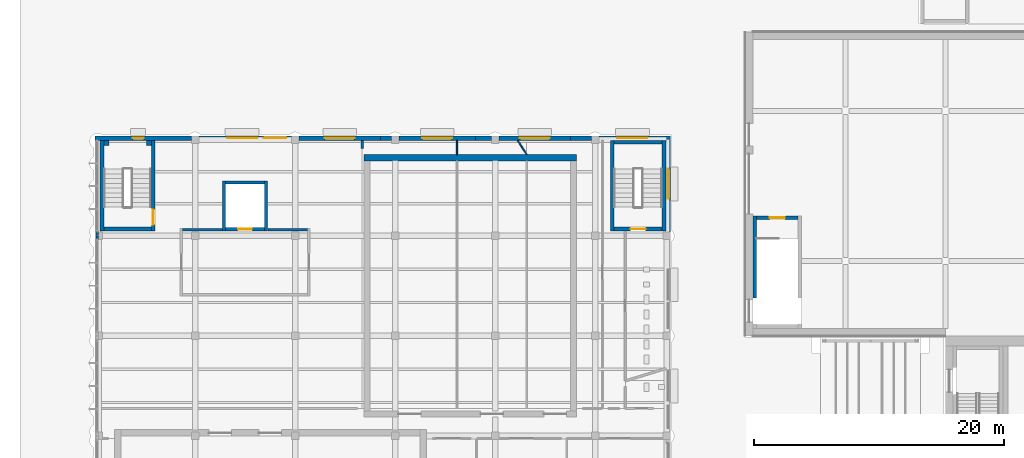
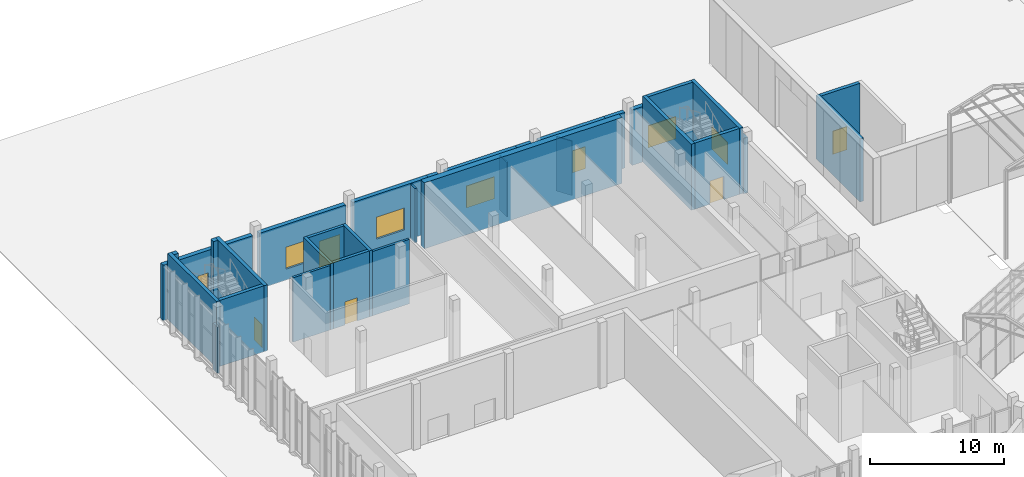
# One storey, part 96 of 155: 33 walls, 7 windows, 5 doors, 12 openings.
"""IFC4 building model written with IfcOpenShell, lengths in metres."""

import ifcopenshell
import ifcopenshell.guid

model = None  # the IFC model being written
_history = None  # IfcOwnerHistory: only IFC2X3 demands one
_inside = {}  # id of a spatial element -> (the spatial element, [elements in it])
_under = {}  # id of a project, library or spatial element -> (it, [spatial elements below it])
_declared = {}  # id of a project -> (the project, [libraries it declares])
_typed = {}  # id of a type object -> (the type object, [elements of that type])
_made_of = {}  # id of a material, layer set ... -> (it, [elements and type objects made of it])


def new_model(schema):
    """Start an empty IFC model of exactly this schema.

    Asked for "IFC4X3", IfcOpenShell would pick the latest addendum, in which some entities
    have other attributes; the version numbers below select the first issue.
    IFC2X3 requires an IfcOwnerHistory on every rooted entity: one is made here for all.
    """
    global model, _history
    if schema == "IFC4X3":
        model = ifcopenshell.file(schema_version=(4, 3, 0, 0))
    else:
        model = ifcopenshell.file(schema=schema)
    _inside.clear()
    _under.clear()
    _declared.clear()
    _typed.clear()
    _made_of.clear()
    _history = None
    if model.schema == "IFC2X3":
        org = make("IfcOrganization", Name="unknown")
        user = make(
            "IfcPersonAndOrganization",
            ThePerson=make("IfcPerson", FamilyName="unknown"),
            TheOrganization=org,
        )
        app = make(
            "IfcApplication",
            ApplicationDeveloper=org,
            Version="unknown",
            ApplicationFullName="unknown",
            ApplicationIdentifier="unknown",
        )
        _history = make(
            "IfcOwnerHistory",
            OwningUser=user,
            OwningApplication=app,
            ChangeAction="ADDED",
            CreationDate=0,
        )
    return model


def make(cls, **values):
    """One entity of the class cls with the attributes given. An attribute that is None is left unset."""
    return model.create_entity(
        cls, **{name: value for name, value in values.items() if value is not None}
    )


def rooted(cls, **values):
    """An entity with a GlobalId (a new one), such as an element, a storey or a relation."""
    return make(cls, GlobalId=ifcopenshell.guid.new(), OwnerHistory=_history, **values)


def si_unit(unit_type, name, prefix=None):
    """IfcSIUnit, for example si_unit("LENGTHUNIT", "METRE", prefix="MILLI")."""
    return make("IfcSIUnit", UnitType=unit_type, Prefix=prefix, Name=name)


def assignment(units):
    """IfcUnitAssignment: the units of a project."""
    return None if units is None else make("IfcUnitAssignment", Units=units)


def point(xyz):
    """IfcCartesianPoint."""
    return None if xyz is None else make("IfcCartesianPoint", Coordinates=xyz)


def direction(xyz):
    """IfcDirection."""
    return None if xyz is None else make("IfcDirection", DirectionRatios=xyz)


def frame(location, z_axis=None, x_axis=None):
    """IfcAxis2Placement3D, a coordinate frame: its origin and axes. An axis left out is left unset."""
    return make(
        "IfcAxis2Placement3D",
        Location=point(location),
        Axis=direction(z_axis),
        RefDirection=direction(x_axis),
    )


def frame_2d(location, x_axis=None):
    """IfcAxis2Placement2D, a coordinate frame in the plane: its origin and x axis."""
    return make(
        "IfcAxis2Placement2D", Location=point(location), RefDirection=direction(x_axis)
    )


def origin():
    """The frame at (0, 0, 0) with its axes left unset."""
    return frame((0.0, 0.0, 0.0))


def place(relative_to, where):
    """IfcLocalPlacement: puts the frame where relative to a parent placement (None: the world)."""
    return make(
        "IfcLocalPlacement", PlacementRelTo=relative_to, RelativePlacement=where
    )


def context(
    kind, dimensions, precision=None, world=None, true_north=None, identifier=None
):
    """IfcGeometricRepresentationContext, for example the 3D "Model" context."""
    return make(
        "IfcGeometricRepresentationContext",
        ContextIdentifier=identifier,
        ContextType=kind,
        CoordinateSpaceDimension=dimensions,
        Precision=precision,
        WorldCoordinateSystem=world,
        TrueNorth=true_north,
    )


def subcontext(parent, identifier, kind, view, scale=None):
    """IfcGeometricRepresentationSubContext, for example "Body" below "Model"."""
    return make(
        "IfcGeometricRepresentationSubContext",
        ContextIdentifier=identifier,
        ContextType=kind,
        ParentContext=parent,
        TargetScale=scale,
        TargetView=view,
    )


def project(units=None, contexts=None):
    """IfcProject with its units and contexts."""
    return rooted(
        "IfcProject",
        Name="project",
        RepresentationContexts=contexts,
        UnitsInContext=assignment(units),
    )


def spatial(cls, under=None, at=None, **own):
    """A site, building, storey or space (cls), placed at a placement, below another one or the project."""
    s = rooted(cls, ObjectPlacement=at, **own)
    if under is not None:
        _under.setdefault(under.id(), (under, []))[1].append(s)
    return s


def profile(cls, at=None, kind="AREA", **sizes):
    """A parametric profile (cls). Its sizes go by their IFC names, for example OverallWidth=200.0."""
    return make(cls, ProfileType=kind, Position=at, **sizes)


def rectangle(**sizes):
    """IfcRectangleProfileDef."""
    return profile("IfcRectangleProfileDef", **sizes)


def extrude(swept, where, along, depth):
    """IfcExtrudedAreaSolid: the profile swept, set in the frame where, extruded along a direction by depth."""
    return make(
        "IfcExtrudedAreaSolid",
        SweptArea=swept,
        Position=where,
        ExtrudedDirection=direction(along),
        Depth=depth,
    )


def shape(context_of_items, identifier, shape_type, items):
    """IfcShapeRepresentation: the items that make up one representation, for example the "Body"."""
    return make(
        "IfcShapeRepresentation",
        ContextOfItems=context_of_items,
        RepresentationIdentifier=identifier,
        RepresentationType=shape_type,
        Items=items,
    )


def material(Name=None, Category=None):
    """IfcMaterial."""
    return make("IfcMaterial", Name=Name, Category=Category)


def layer(
    of_material, thickness, ventilated=None, Name=None, Category=None, Priority=None
):
    """IfcMaterialLayer: one layer of a wall or slab, of a material (None: an air gap)."""
    return make(
        "IfcMaterialLayer",
        Material=of_material,
        LayerThickness=thickness,
        IsVentilated=ventilated,
        Name=Name,
        Category=Category,
        Priority=Priority,
    )


def layer_set(layers, Name=None):
    """IfcMaterialLayerSet."""
    return make("IfcMaterialLayerSet", MaterialLayers=layers, LayerSetName=Name)


def made_of(thing, what):
    """Note that an element or type object is made of a material, layer set ...; save() writes the relation."""
    if what is not None:
        _made_of.setdefault(what.id(), (what, []))[1].append(thing)
    return thing


def type_object(cls, material=None, **own):
    """A type object (cls), such as IfcWallType, which elements share."""
    return made_of(rooted(cls, **own), material)


def element(
    cls,
    number,
    at=None,
    inside=None,
    cuts=None,
    type_object=None,
    material=None,
    context=None,
    identifier="Body",
    shape_type=None,
    held_by="IfcProductDefinitionShape",
    body=None,
    shapes=None,
    **own,
):
    """One element of the class cls, such as IfcWall. Its Tag is "e" and its number.

    at: its placement. inside: the storey or other place that contains it. cuts: it is an
    opening in that element (IfcRelVoidsElement). A single representation is given by context,
    identifier, shape_type and body (its items); several are given by shapes. held_by: the class
    of the entity that holds the representations. save() writes the other relations.
    """
    e = rooted(cls, Tag="e%d" % number, ObjectPlacement=at, **own)
    if body is not None:
        shapes = [shape(context, identifier, shape_type, body)]
    if shapes is not None:
        e.Representation = make(held_by, Representations=shapes)
    if inside is not None:
        _inside.setdefault(inside.id(), (inside, []))[1].append(e)
    if cuts is not None:
        rooted(
            "IfcRelVoidsElement", RelatingBuildingElement=cuts, RelatedOpeningElement=e
        )
    if type_object is not None:
        _typed.setdefault(type_object.id(), (type_object, []))[1].append(e)
    return made_of(e, material)


def fill(opening, filler):
    """IfcRelFillsElement: the door or window that sits in an opening."""
    return rooted(
        "IfcRelFillsElement",
        RelatingOpeningElement=opening,
        RelatedBuildingElement=filler,
    )


def aggregate(whole, parts):
    """IfcRelAggregates: a whole, such as a stair, and the parts it consists of."""
    return rooted("IfcRelAggregates", RelatingObject=whole, RelatedObjects=parts)


def save(model, path):
    """Write the relations noted so far, then the file.

    IfcRelAggregates (storeys below a building ...), IfcRelContainedInSpatialStructure (elements
    in a storey), IfcRelDefinesByType, IfcRelAssociatesMaterial and IfcRelDeclares: one each for
    every whole, place, type object, material and project.
    """
    for whole, parts in _under.values():
        aggregate(whole, parts)
    for where, things in _inside.values():
        rooted(
            "IfcRelContainedInSpatialStructure",
            RelatedElements=things,
            RelatingStructure=where,
        )
    for kind, things in _typed.values():
        rooted("IfcRelDefinesByType", RelatedObjects=things, RelatingType=kind)
    for what, things in _made_of.values():
        rooted("IfcRelAssociatesMaterial", RelatedObjects=things, RelatingMaterial=what)
    for by, libraries in _declared.values():
        rooted("IfcRelDeclares", RelatingContext=by, RelatedDefinitions=libraries)
    model.write(path)


model = new_model("IFC4")

# Units and contexts
model_context = context("Model", 3, precision=1e-05, world=origin(), true_north=direction((0.0, 1.0)))
body_context = subcontext(model_context, "Body", "Model", "MODEL_VIEW")
ifc_project = project(units=[si_unit("LENGTHUNIT", "METRE"), si_unit("AREAUNIT", "SQUARE_METRE"), si_unit("VOLUMEUNIT", "CUBIC_METRE"), si_unit("PLANEANGLEUNIT", "RADIAN"), si_unit("MASSUNIT", "GRAM", prefix="KILO")], contexts=[model_context])

# Site, building, storey
site_placement = place(None, origin())
site = spatial("IfcSite", under=ifc_project, at=site_placement, CompositionType="ELEMENT")
building_placement = place(site_placement, origin())
building = spatial("IfcBuilding", under=site, at=building_placement, Name="Lunette Opera House", CompositionType="ELEMENT")
storey_placement = place(building_placement, origin())
storey = spatial("IfcBuildingStorey", under=building, at=storey_placement, Name="L00", CompositionType="ELEMENT", Elevation=0.0)

# Walls
ifc_material_1 = material(Name="Plastered clay blockwork", Category="masonry")
ifc_layer_1 = layer(ifc_material_1, 0.175048828125)
ifc_layer_set_1 = layer_set([ifc_layer_1], Name="Plastered clay blockwork")
wall_type_1 = type_object("IfcWallType", Name="ACOUSTIC BLOCK PARTITION 175", PredefinedType="PARTITIONING", material=ifc_layer_set_1)
wall_1_placement = place(storey_placement, frame((29.35888671875, 111.634033203125, 0.0), z_axis=(0.0, 0.0, 1.0), x_axis=(0.0, -1.0, 0.0)))
element("IfcWall", 1, at=wall_1_placement, inside=storey, type_object=wall_type_1, Name="Partition Chorus Rehearsal Room", PredefinedType="PARTITIONING", context=body_context, shape_type="SweptSolid", body=[
    extrude(rectangle(XDim=0.634033203125, YDim=0.175048828125, at=frame_2d((0.31689453125, 0.0))), origin(), (0.0, 0.0, 1.0), 4.949951171875),
])
ifc_material_2 = material(Name="Insulated aluminium sandwich panel", Category="aluminium")
ifc_layer_2 = layer(ifc_material_2, 0.179931640625)
ifc_layer_set_2 = layer_set([ifc_layer_2], Name="Insulated aluminium sandwich panel")
wall_type_2 = type_object("IfcWallType", Name="CURTAIN WALL INFILL 180", PredefinedType="SOLIDWALL", material=ifc_layer_set_2)
wall_2_placement = place(storey_placement, frame((8.181884765625, 104.330078125, 0.0), z_axis=(0.0, 0.0, 1.0), x_axis=(0.0, -1.0, 0.0)))
element("IfcWall", 2, at=wall_2_placement, inside=storey, type_object=wall_type_2, Name="Curtain Wall Infill 180 IN13 L00", PredefinedType="SOLIDWALL", context=body_context, shape_type="SweptSolid", body=[
    extrude(rectangle(XDim=0.30517578125, YDim=0.179931640625, at=frame_2d((0.152587890625, 0.0))), origin(), (0.0, 0.0, 1.0), 4.199951171875),
])
wall_3_placement = place(storey_placement, frame((8.181884765625, 103.696044921875, 0.0), z_axis=(0.0, 0.0, 1.0), x_axis=(0.0, 1.0, 0.0)))
element("IfcWall", 3, at=wall_3_placement, inside=storey, type_object=wall_type_2, Name="Curtain Wall Infill 180 IN15 L00", PredefinedType="SOLIDWALL", context=body_context, shape_type="SweptSolid", body=[
    extrude(rectangle(XDim=0.304931640625, YDim=0.179931640625, at=frame_2d((0.15234375, 0.0))), origin(), (0.0, 0.0, 1.0), 4.199951171875),
])
ifc_material_3 = material(Name="Concrete C35/45", Category="concrete")
ifc_layer_3 = layer(ifc_material_3, 0.199951171875)
ifc_layer_set_3 = layer_set([ifc_layer_3], Name="Concrete C35/45")
wall_type_3 = type_object("IfcWallType", Name="LOBBY WALL 200", PredefinedType="PARTITIONING", material=ifc_layer_set_3)
for number, where, z_axis, x_axis, name in (
    (4, (25.0, 104.5, 0.0), (0.0, 0.0, 1.0), (-1.0, 0.0, 0.0), "LL-R lobby wall 2a"),
    (5, (18.179931640625, 104.5, 0.0), (0.0, 0.0, 1.0), (-1.0, 0.0, 0.0), "LL-R lobby wall 2b"),
):
    element("IfcWall", number, at=place(storey_placement, frame(where, z_axis=z_axis, x_axis=x_axis)), inside=storey, type_object=wall_type_3, Name=name, PredefinedType="PARTITIONING", context=body_context, shape_type="SweptSolid", body=[
        extrude(rectangle(XDim=3.179931640625, YDim=0.199951171875, at=frame_2d((1.58984375, 0.0))), origin(), (0.0, 0.0, 1.0), 5.85009765625),
    ])
ifc_material_4 = material(Name="Concrete C35/45", Category="concrete")
ifc_layer_4 = layer(ifc_material_4, 0.25)
ifc_layer_set_4 = layer_set([ifc_layer_4], Name="Concrete C35/45")
wall_type_4 = type_object("IfcWallType", Name="RC LIFT SHAFT WALL 250", PredefinedType="SOLIDWALL", material=ifc_layer_set_4)
wall_4_placement = place(storey_placement, frame((21.675048828125, 104.39990234375, 0.0), z_axis=(0.0, 0.0, 1.0), x_axis=(0.0, 1.0, 0.0)))
element("IfcWall", 6, at=wall_4_placement, inside=storey, type_object=wall_type_4, Name="LF5 shaft wall 1", PredefinedType="SOLIDWALL", context=body_context, shape_type="SweptSolid", body=[
    extrude(rectangle(XDim=4.0, YDim=0.25, at=frame_2d((2.0, 0.0))), origin(), (0.0, 0.0, 1.0), 6.0),
])
wall_5_placement = place(storey_placement, frame((21.550048828125, 108.27490234375, 0.0), z_axis=(0.0, 0.0, 1.0), x_axis=(-1.0, 0.0, 0.0)))
element("IfcWall", 7, at=wall_5_placement, inside=storey, type_object=wall_type_4, Name="LF5 shaft wall 2", PredefinedType="SOLIDWALL", context=body_context, shape_type="SweptSolid", body=[
    extrude(rectangle(XDim=3.10009765625, YDim=0.25, at=frame_2d((1.550048828125, 0.0))), origin(), (0.0, 0.0, 1.0), 6.0),
])
wall_6_placement = place(storey_placement, frame((18.324951171875, 108.39990234375, 0.0), z_axis=(0.0, 0.0, 1.0), x_axis=(0.0, -1.0, 0.0)))
element("IfcWall", 8, at=wall_6_placement, inside=storey, type_object=wall_type_4, Name="LF5 shaft wall 3", PredefinedType="SOLIDWALL", context=body_context, shape_type="SweptSolid", body=[
    extrude(rectangle(XDim=4.0, YDim=0.25, at=frame_2d((2.0, 0.0))), origin(), (0.0, 0.0, 1.0), 6.0),
])

# Wall, opening, door
wall_7_placement = place(storey_placement, frame((18.449951171875, 104.52490234375, 0.0), z_axis=(0.0, 0.0, 1.0), x_axis=(1.0, 0.0, 0.0)))
wall_7 = element("IfcWall", 9, at=wall_7_placement, inside=storey, type_object=wall_type_4, Name="LF5 shaft wall 4", PredefinedType="SOLIDWALL", context=body_context, shape_type="SweptSolid", body=[
    extrude(rectangle(XDim=3.10009765625, YDim=0.25, at=frame_2d((1.550048828125, 0.0))), origin(), (0.0, 0.0, 1.0), 6.0),
])
opening_1_placement = place(wall_7_placement, frame((1.0, 0.0, 0.0)))
opening_1 = element("IfcOpeningElement", 10, at=opening_1_placement, cuts=wall_7, Name="Opening RW-LD002", PredefinedType="OPENING", context=body_context, shape_type="SweptSolid", body=[
    extrude(rectangle(XDim=1.10009765625, YDim=2.10009765625, at=frame_2d((0.550048828125, 1.050048828125))), frame((0.0, 0.136962890625, 0.0), z_axis=(0.0, -1.0, 0.0), x_axis=(1.0, 0.0, 0.0)), (0.0, 0.0, 1.0), 0.27392578125),
])
ifc_material_5 = material(Name="Stainless steel", Category="steel")
door_type_1 = type_object("IfcDoorType", Name="LIFT LANDING DOOR 1100 X 2100", OperationType="DOUBLE_DOOR_SLIDING", PredefinedType="DOOR", material=ifc_material_5)
door_1_placement = place(opening_1_placement, origin())
door_1 = element("IfcDoor", 11, at=door_1_placement, inside=storey, type_object=door_type_1, Name="LF5 lift landing door", OperationType="DOUBLE_DOOR_SLIDING", OverallHeight=2.10009765625, OverallWidth=1.10009765625, PredefinedType="DOOR", context=body_context, shape_type="SweptSolid", body=[
    extrude(rectangle(XDim=1.10009765625, YDim=2.10009765625, at=frame_2d((0.550048828125, 1.050048828125))), frame((0.0, 0.02490234375, 0.0), z_axis=(0.0, -1.0, 0.0), x_axis=(1.0, 0.0, 0.0)), (0.0, 0.0, 1.0), 0.050048828125),
])
fill(opening_1, door_1)

# Walls
ifc_material_6 = material(Name="Concrete C35/45", Category="concrete")
ifc_layer_5 = layer(ifc_material_6, 0.39990234375)
ifc_layer_set_5 = layer_set([ifc_layer_5], Name="Concrete C35/45")
wall_type_5 = type_object("IfcWallType", Name="RC PILASTER 400", PredefinedType="SOLIDWALL", material=ifc_layer_set_5)
wall_8_placement = place(storey_placement, frame((12.5, 111.43505859375, 0.0), z_axis=(0.0, 0.0, 1.0), x_axis=(-1.0, 0.0, 0.0)))
element("IfcWall", 12, at=wall_8_placement, inside=storey, type_object=wall_type_5, Name="ST15 pilaster 1", PredefinedType="SOLIDWALL", context=body_context, shape_type="SweptSolid", body=[
    extrude(rectangle(XDim=0.39990234375, YDim=0.39990234375, at=frame_2d((0.199951171875, 0.0))), origin(), (0.0, 0.0, 1.0), 6.0),
])
wall_9_placement = place(storey_placement, frame((9.10009765625, 111.43505859375, 0.0), z_axis=(0.0, 0.0, 1.0), x_axis=(-1.0, 0.0, 0.0)))
element("IfcWall", 13, at=wall_9_placement, inside=storey, type_object=wall_type_5, Name="ST15 pilaster 2", PredefinedType="SOLIDWALL", context=body_context, shape_type="SweptSolid", body=[
    extrude(rectangle(XDim=0.400146484375, YDim=0.39990234375, at=frame_2d((0.2001953125, 0.0))), origin(), (0.0, 0.0, 1.0), 6.0),
])

# Wall, opening, door
ifc_material_7 = material(Name="Concrete C35/45", Category="concrete")
ifc_layer_6 = layer(ifc_material_7, 0.300048828125)
ifc_layer_set_6 = layer_set([ifc_layer_6], Name="Concrete C35/45")
wall_type_6 = type_object("IfcWallType", Name="RC STAIR ENCLOSURE WALL 300", PredefinedType="SOLIDWALL", material=ifc_layer_set_6)
wall_10_placement = place(storey_placement, frame((64.199951171875, 105.449951171875, 0.0), z_axis=(0.0, 0.0, 1.0), x_axis=(-1.0, 0.0, 0.0)))
wall_10 = element("IfcWall", 14, at=wall_10_placement, inside=storey, type_object=wall_type_6, Name="ST13 enclosure wall 2", PredefinedType="SOLIDWALL", context=body_context, shape_type="SweptSolid", body=[
    extrude(rectangle(XDim=3.300048828125, YDim=0.300048828125, at=frame_2d((1.64990234375, 0.0))), origin(), (0.0, 0.0, 1.0), 5.75),
])
opening_2_placement = place(wall_10_placement, frame((1.050048828125, 0.0, 0.0)))
opening_2 = element("IfcOpeningElement", 15, at=opening_2_placement, cuts=wall_10, Name="Opening ST-D7020", PredefinedType="OPENING", context=body_context, shape_type="SweptSolid", body=[
    extrude(rectangle(XDim=1.199951171875, YDim=2.10009765625, at=frame_2d((0.60009765625, 1.050048828125))), frame((0.0, 0.162109375, 0.0), z_axis=(0.0, -1.0, 0.0), x_axis=(1.0, 0.0, 0.0)), (0.0, 0.0, 1.0), 0.323974609375),
])
ifc_material_8 = material(Name="Steel", Category="steel")
door_type_2 = type_object("IfcDoorType", Name="FIRE DOOR 1200 X 2100", OperationType="SINGLE_SWING_LEFT", PredefinedType="DOOR", material=ifc_material_8)
door_2_placement = place(opening_2_placement, origin())
door_2 = element("IfcDoor", 16, at=door_2_placement, inside=storey, type_object=door_type_2, Name="ST13 stair door", OperationType="SINGLE_SWING_LEFT", OverallHeight=2.10009765625, OverallWidth=1.199951171875, PredefinedType="DOOR", context=body_context, shape_type="SweptSolid", body=[
    extrude(rectangle(XDim=1.199951171875, YDim=2.10009765625, at=frame_2d((0.60009765625, 1.050048828125))), frame((0.0, 0.02490234375, 0.0), z_axis=(0.0, -1.0, 0.0), x_axis=(1.0, 0.0, 0.0)), (0.0, 0.0, 1.0), 0.050048828125),
])
fill(opening_2, door_2)

wall_11_placement = place(storey_placement, frame((12.64990234375, 104.39990234375, 0.0), z_axis=(0.0, 0.0, 1.0), x_axis=(0.0, 1.0, 0.0)))
wall_11 = element("IfcWall", 17, at=wall_11_placement, inside=storey, type_object=wall_type_6, Name="ST15 enclosure wall 1", PredefinedType="SOLIDWALL", context=body_context, shape_type="SweptSolid", body=[
    extrude(rectangle(XDim=7.235107421875, YDim=0.300048828125, at=frame_2d((3.61767578125, 0.0))), origin(), (0.0, 0.0, 1.0), 6.0),
])
opening_3_placement = place(wall_11_placement, frame((0.5, 0.0, 0.0)))
opening_3 = element("IfcOpeningElement", 18, at=opening_3_placement, cuts=wall_11, Name="Opening RW-D7002", PredefinedType="OPENING", context=body_context, shape_type="SweptSolid", body=[
    extrude(rectangle(XDim=1.199951171875, YDim=2.10009765625, at=frame_2d((0.60009765625, 1.050048828125))), frame((0.0, 0.162109375, 0.0), z_axis=(0.0, -1.0, 0.0), x_axis=(1.0, 0.0, 0.0)), (0.0, 0.0, 1.0), 0.323974609375),
])
door_3_placement = place(opening_3_placement, origin())
door_3 = element("IfcDoor", 19, at=door_3_placement, inside=storey, type_object=door_type_2, Name="ST15 stair door", OperationType="SINGLE_SWING_LEFT", OverallHeight=2.10009765625, OverallWidth=1.199951171875, PredefinedType="DOOR", context=body_context, shape_type="SweptSolid", body=[
    extrude(rectangle(XDim=1.199951171875, YDim=2.10009765625, at=frame_2d((0.60009765625, 1.050048828125))), frame((0.0, 0.02490234375, 0.0), z_axis=(0.0, -1.0, 0.0), x_axis=(1.0, 0.0, 0.0)), (0.0, 0.0, 1.0), 0.050048828125),
])
fill(opening_3, door_3)

# Walls
wall_12_placement = place(storey_placement, frame((8.550048828125, 111.635009765625, 0.0), z_axis=(0.0, 0.0, 1.0), x_axis=(0.0, -1.0, 0.0)))
element("IfcWall", 20, at=wall_12_placement, inside=storey, type_object=wall_type_6, Name="ST15 enclosure wall 3", PredefinedType="SOLIDWALL", context=body_context, shape_type="SweptSolid", body=[
    extrude(rectangle(XDim=7.235107421875, YDim=0.300048828125, at=frame_2d((3.61767578125, 0.0))), origin(), (0.0, 0.0, 1.0), 6.0),
])
wall_13_placement = place(storey_placement, frame((8.699951171875, 104.550048828125, 0.0), z_axis=(0.0, 0.0, 1.0), x_axis=(1.0, 0.0, 0.0)))
element("IfcWall", 21, at=wall_13_placement, inside=storey, type_object=wall_type_6, Name="ST15 enclosure wall 4", PredefinedType="SOLIDWALL", context=body_context, shape_type="SweptSolid", body=[
    extrude(rectangle(XDim=3.800048828125, YDim=0.300048828125, at=frame_2d((1.89990234375, 0.0))), origin(), (0.0, 0.0, 1.0), 6.0),
])
wall_14_placement = place(storey_placement, frame((53.485107421875, 104.39990234375, 0.0), z_axis=(0.0, 0.0, 1.0), x_axis=(0.0, 1.0, 0.0)))
element("IfcWall", 22, at=wall_14_placement, inside=storey, type_object=wall_type_6, Name="ST17 enclosure wall 1", PredefinedType="SOLIDWALL", context=body_context, shape_type="SweptSolid", body=[
    extrude(rectangle(XDim=7.235107421875, YDim=0.300048828125, at=frame_2d((3.61767578125, 0.0))), origin(), (0.0, 0.0, 1.0), 6.0),
])
wall_15_placement = place(storey_placement, frame((53.3349609375, 111.485107421875, 0.0), z_axis=(0.0, 0.0, 1.0), x_axis=(-1.0, 0.0, 0.0)))
element("IfcWall", 23, at=wall_15_placement, inside=storey, type_object=wall_type_6, Name="ST17 enclosure wall 2", PredefinedType="SOLIDWALL", context=body_context, shape_type="SweptSolid", body=[
    extrude(rectangle(XDim=3.8349609375, YDim=0.300048828125, at=frame_2d((1.91748046875, 0.0))), origin(), (0.0, 0.0, 1.0), 6.0),
])
wall_16_placement = place(storey_placement, frame((49.35009765625, 111.635009765625, 0.0), z_axis=(0.0, 0.0, 1.0), x_axis=(0.0, -1.0, 0.0)))
element("IfcWall", 24, at=wall_16_placement, inside=storey, type_object=wall_type_6, Name="ST17 enclosure wall 3", PredefinedType="SOLIDWALL", context=body_context, shape_type="SweptSolid", body=[
    extrude(rectangle(XDim=7.235107421875, YDim=0.300048828125, at=frame_2d((3.61767578125, 0.0))), origin(), (0.0, 0.0, 1.0), 6.0),
])

# Wall, opening, door
wall_17_placement = place(storey_placement, frame((49.5, 104.550048828125, 0.0), z_axis=(0.0, 0.0, 1.0), x_axis=(1.0, 0.0, 0.0)))
wall_17 = element("IfcWall", 25, at=wall_17_placement, inside=storey, type_object=wall_type_6, Name="ST17 enclosure wall 4", PredefinedType="SOLIDWALL", context=body_context, shape_type="SweptSolid", body=[
    extrude(rectangle(XDim=3.8349609375, YDim=0.300048828125, at=frame_2d((1.91748046875, 0.0))), origin(), (0.0, 0.0, 1.0), 6.0),
])
opening_4_placement = place(wall_17_placement, frame((1.31689453125, 0.0, 0.0)))
opening_4 = element("IfcOpeningElement", 26, at=opening_4_placement, cuts=wall_17, Name="Opening RW-D7014", PredefinedType="OPENING", context=body_context, shape_type="SweptSolid", body=[
    extrude(rectangle(XDim=1.199951171875, YDim=2.10009765625, at=frame_2d((0.60009765625, 1.050048828125))), frame((0.0, 0.162109375, 0.0), z_axis=(0.0, -1.0, 0.0), x_axis=(1.0, 0.0, 0.0)), (0.0, 0.0, 1.0), 0.323974609375),
])
door_4_placement = place(opening_4_placement, origin())
door_4 = element("IfcDoor", 27, at=door_4_placement, inside=storey, type_object=door_type_2, Name="ST17 stair door", OperationType="SINGLE_SWING_LEFT", OverallHeight=2.10009765625, OverallWidth=1.199951171875, PredefinedType="DOOR", context=body_context, shape_type="SweptSolid", body=[
    extrude(rectangle(XDim=1.199951171875, YDim=2.10009765625, at=frame_2d((0.60009765625, 1.050048828125))), frame((0.0, 0.02490234375, 0.0), z_axis=(0.0, -1.0, 0.0), x_axis=(1.0, 0.0, 0.0)), (0.0, 0.0, 1.0), 0.050048828125),
])
fill(opening_4, door_4)

# Walls
wall_18_placement = place(storey_placement, frame((60.75, 105.60009765625, 0.0), z_axis=(0.0, 0.0, 1.0), x_axis=(0.0, -1.0, 0.0)))
element("IfcWall", 28, at=wall_18_placement, inside=storey, type_object=wall_type_6, Name="ST13 enclosure wall 3 a", PredefinedType="SOLIDWALL", context=body_context, shape_type="SweptSolid", body=[
    extrude(rectangle(XDim=6.550048828125, YDim=0.300048828125, at=frame_2d((3.27490234375, 0.0))), origin(), (0.0, 0.0, 1.0), 5.75),
])
ifc_material_9 = material(Name="Concrete C35/45", Category="concrete")
ifc_layer_7 = layer(ifc_material_9, 0.5)
ifc_layer_set_7 = layer_set([ifc_layer_7], Name="Concrete C35/45")
wall_type_7 = type_object("IfcWallType", Name="RC WALL 500", PredefinedType="SHEAR", material=ifc_layer_set_7)
wall_19_placement = place(storey_placement, frame((29.5, 110.25, 0.0), z_axis=(0.0, 0.0, 1.0), x_axis=(1.0, 0.0, 0.0)))
element("IfcWall", 29, at=wall_19_placement, inside=storey, type_object=wall_type_7, Name="wall-RW-L00-OH-N-1", PredefinedType="SHEAR", context=body_context, shape_type="SweptSolid", body=[
    extrude(rectangle(XDim=17.0, YDim=0.5, at=frame_2d((8.5, 0.0))), origin(), (0.0, 0.0, 1.0), 6.0),
])

# Wall, opening, window
ifc_material_10 = material(Name="Clinker brick", Category="masonry")
ifc_layer_8 = layer(ifc_material_10, 0.364990234375)
ifc_layer_set_8 = layer_set([ifc_layer_8], Name="Clinker brick")
wall_type_8 = type_object("IfcWallType", Name="REHEARSAL BRICK WALL 365", PredefinedType="SOLIDWALL", material=ifc_layer_set_8)
wall_20_placement = place(storey_placement, frame((53.635009765625, 111.81689453125, 0.0), z_axis=(0.0, 0.0, 1.0), x_axis=(-1.0, 0.0, 0.0)))
wall_20 = element("IfcWall", 30, at=wall_20_placement, inside=storey, type_object=wall_type_8, Name="Rehearsal Brick Wall 365 F01-1 L00", PredefinedType="SOLIDWALL", context=body_context, shape_type="SweptSolid", body=[
    extrude(rectangle(XDim=5.3349609375, YDim=0.364990234375, at=frame_2d((2.66748046875, 0.0))), origin(), (0.0, 0.0, 1.0), 5.050048828125),
])
opening_5_placement = place(wall_20_placement, frame((1.468017578125, 0.0, 1.0)))
opening_5 = element("IfcOpeningElement", 31, at=opening_5_placement, cuts=wall_20, Name="Opening RW-N2001", PredefinedType="OPENING", context=body_context, shape_type="SweptSolid", body=[
    extrude(rectangle(XDim=2.39990234375, YDim=2.0, at=frame_2d((1.199951171875, 1.0))), frame((0.0, 0.194580078125, 0.0), z_axis=(0.0, -1.0, 0.0), x_axis=(1.0, 0.0, 0.0)), (0.0, 0.0, 1.0), 0.388916015625),
])
ifc_material_11 = material(Name="Aluminium", Category="aluminium")
window_type_1 = type_object("IfcWindowType", Name="REHEARSAL WINDOW 2400 X 2000", PartitioningType="DOUBLE_PANEL_VERTICAL", PredefinedType="WINDOW", material=ifc_material_11)
window_1_placement = place(opening_5_placement, origin())
window_1 = element("IfcWindow", 32, at=window_1_placement, inside=storey, type_object=window_type_1, Name="Rehearsal Window 2400 X 2000 F01-1 L00", OverallHeight=2.0, OverallWidth=2.39990234375, PartitioningType="DOUBLE_PANEL_VERTICAL", PredefinedType="WINDOW", context=body_context, shape_type="SweptSolid", body=[
    extrude(rectangle(XDim=2.39990234375, YDim=2.0, at=frame_2d((1.199951171875, 1.0))), frame((0.0, 0.030029296875, 0.0), z_axis=(0.0, -1.0, 0.0), x_axis=(1.0, 0.0, 0.0)), (0.0, 0.0, 1.0), 0.06005859375),
])
fill(opening_5, window_1)

# Wall
wall_21_placement = place(storey_placement, frame((47.699951171875, 111.81689453125, 0.0), z_axis=(0.0, 0.0, 1.0), x_axis=(-1.0, 0.0, 0.0)))
element("IfcWall", 33, at=wall_21_placement, inside=storey, type_object=wall_type_8, Name="Rehearsal Brick Wall 365 F01-2 L00", PredefinedType="SOLIDWALL", context=body_context, shape_type="SweptSolid", body=[
    extrude(rectangle(XDim=1.6708984375, YDim=0.364990234375, at=frame_2d((0.83544921875, 0.0))), origin(), (0.0, 0.0, 1.0), 5.050048828125),
])

# Wall, opening, window
wall_22_placement = place(storey_placement, frame((46.029052734375, 111.81689453125, 0.0), z_axis=(0.0, 0.0, 1.0), x_axis=(-1.0, 0.0, 0.0)))
wall_22 = element("IfcWall", 34, at=wall_22_placement, inside=storey, type_object=wall_type_8, Name="Rehearsal Brick Wall 365 F02-1 L00", PredefinedType="SOLIDWALL", context=body_context, shape_type="SweptSolid", body=[
    extrude(rectangle(XDim=5.72900390625, YDim=0.364990234375, at=frame_2d((2.864501953125, 0.0))), origin(), (0.0, 0.0, 1.0), 5.050048828125),
])
opening_6_placement = place(wall_22_placement, frame((1.6650390625, 0.0, 1.0)))
opening_6 = element("IfcOpeningElement", 35, at=opening_6_placement, cuts=wall_22, Name="Opening RW-N2002", PredefinedType="OPENING", context=body_context, shape_type="SweptSolid", body=[
    extrude(rectangle(XDim=2.39990234375, YDim=2.0, at=frame_2d((1.199951171875, 1.0))), frame((0.0, 0.194580078125, 0.0), z_axis=(0.0, -1.0, 0.0), x_axis=(1.0, 0.0, 0.0)), (0.0, 0.0, 1.0), 0.388916015625),
])
window_2_placement = place(opening_6_placement, origin())
window_2 = element("IfcWindow", 36, at=window_2_placement, inside=storey, type_object=window_type_1, Name="Rehearsal Window 2400 X 2000 F02-1 L00", OverallHeight=2.0, OverallWidth=2.39990234375, PartitioningType="DOUBLE_PANEL_VERTICAL", PredefinedType="WINDOW", context=body_context, shape_type="SweptSolid", body=[
    extrude(rectangle(XDim=2.39990234375, YDim=2.0, at=frame_2d((1.199951171875, 1.0))), frame((0.0, 0.030029296875, 0.0), z_axis=(0.0, -1.0, 0.0), x_axis=(1.0, 0.0, 0.0)), (0.0, 0.0, 1.0), 0.06005859375),
])
fill(opening_6, window_2)

# Wall
wall_23_placement = place(storey_placement, frame((39.699951171875, 111.81689453125, 0.0), z_axis=(0.0, 0.0, 1.0), x_axis=(-1.0, 0.0, 0.0)))
element("IfcWall", 37, at=wall_23_placement, inside=storey, type_object=wall_type_8, Name="Rehearsal Brick Wall 365 F02-2 L00", PredefinedType="SOLIDWALL", context=body_context, shape_type="SweptSolid", body=[
    extrude(rectangle(XDim=1.27685546875, YDim=0.364990234375, at=frame_2d((0.638427734375, 0.0))), origin(), (0.0, 0.0, 1.0), 5.050048828125),
])

# Wall, opening, window
wall_24_placement = place(storey_placement, frame((38.423095703125, 111.81689453125, 0.0), z_axis=(0.0, 0.0, 1.0), x_axis=(-1.0, 0.0, 0.0)))
wall_24 = element("IfcWall", 38, at=wall_24_placement, inside=storey, type_object=wall_type_8, Name="Rehearsal Brick Wall 365 F03-1 L00", PredefinedType="SOLIDWALL", context=body_context, shape_type="SweptSolid", body=[
    extrude(rectangle(XDim=6.123046875, YDim=0.364990234375, at=frame_2d((3.0615234375, 0.0))), origin(), (0.0, 0.0, 1.0), 5.050048828125),
])
opening_7_placement = place(wall_24_placement, frame((1.862060546875, 0.0, 1.0)))
opening_7 = element("IfcOpeningElement", 39, at=opening_7_placement, cuts=wall_24, Name="Opening RW-N2003", PredefinedType="OPENING", context=body_context, shape_type="SweptSolid", body=[
    extrude(rectangle(XDim=2.39990234375, YDim=2.0, at=frame_2d((1.199951171875, 1.0))), frame((0.0, 0.194580078125, 0.0), z_axis=(0.0, -1.0, 0.0), x_axis=(1.0, 0.0, 0.0)), (0.0, 0.0, 1.0), 0.388916015625),
])
window_3_placement = place(opening_7_placement, origin())
window_3 = element("IfcWindow", 40, at=window_3_placement, inside=storey, type_object=window_type_1, Name="Rehearsal Window 2400 X 2000 F03-1 L00", OverallHeight=2.0, OverallWidth=2.39990234375, PartitioningType="DOUBLE_PANEL_VERTICAL", PredefinedType="WINDOW", context=body_context, shape_type="SweptSolid", body=[
    extrude(rectangle(XDim=2.39990234375, YDim=2.0, at=frame_2d((1.199951171875, 1.0))), frame((0.0, 0.030029296875, 0.0), z_axis=(0.0, -1.0, 0.0), x_axis=(1.0, 0.0, 0.0)), (0.0, 0.0, 1.0), 0.06005859375),
])
fill(opening_7, window_3)

# Wall
wall_25_placement = place(storey_placement, frame((31.699951171875, 111.81689453125, 0.0), z_axis=(0.0, 0.0, 1.0), x_axis=(-1.0, 0.0, 0.0)))
element("IfcWall", 41, at=wall_25_placement, inside=storey, type_object=wall_type_8, Name="Rehearsal Brick Wall 365 F03-2 L00", PredefinedType="SOLIDWALL", context=body_context, shape_type="SweptSolid", body=[
    extrude(rectangle(XDim=0.883056640625, YDim=0.364990234375, at=frame_2d((0.44140625, 0.0))), origin(), (0.0, 0.0, 1.0), 5.050048828125),
])

# Wall, opening, window
wall_26_placement = place(storey_placement, frame((30.81689453125, 111.81689453125, 0.0), z_axis=(0.0, 0.0, 1.0), x_axis=(-1.0, 0.0, 0.0)))
wall_26 = element("IfcWall", 42, at=wall_26_placement, inside=storey, type_object=wall_type_8, Name="Rehearsal Brick Wall 365 F04 L00", PredefinedType="SOLIDWALL", context=body_context, shape_type="SweptSolid", body=[
    extrude(rectangle(XDim=6.516845703125, YDim=0.364990234375, at=frame_2d((3.25830078125, 0.0))), origin(), (0.0, 0.0, 1.0), 5.050048828125),
])
opening_8_placement = place(wall_26_placement, frame((2.05908203125, 0.0, 1.0)))
opening_8 = element("IfcOpeningElement", 43, at=opening_8_placement, cuts=wall_26, Name="Opening RW-N2004", PredefinedType="OPENING", context=body_context, shape_type="SweptSolid", body=[
    extrude(rectangle(XDim=2.39990234375, YDim=2.0, at=frame_2d((1.199951171875, 1.0))), frame((0.0, 0.194580078125, 0.0), z_axis=(0.0, -1.0, 0.0), x_axis=(1.0, 0.0, 0.0)), (0.0, 0.0, 1.0), 0.388916015625),
])
window_4_placement = place(opening_8_placement, origin())
window_4 = element("IfcWindow", 44, at=window_4_placement, inside=storey, type_object=window_type_1, Name="Rehearsal Window 2400 X 2000 F04 L00", OverallHeight=2.0, OverallWidth=2.39990234375, PartitioningType="DOUBLE_PANEL_VERTICAL", PredefinedType="WINDOW", context=body_context, shape_type="SweptSolid", body=[
    extrude(rectangle(XDim=2.39990234375, YDim=2.0, at=frame_2d((1.199951171875, 1.0))), frame((0.0, 0.030029296875, 0.0), z_axis=(0.0, -1.0, 0.0), x_axis=(1.0, 0.0, 0.0)), (0.0, 0.0, 1.0), 0.06005859375),
])
fill(opening_8, window_4)

# Wall, openings, door, window
wall_27_placement = place(storey_placement, frame((23.697021484375, 111.81689453125, 0.0), z_axis=(0.0, 0.0, 1.0), x_axis=(-1.0, 0.0, 0.0)))
wall_27 = element("IfcWall", 45, at=wall_27_placement, inside=storey, type_object=wall_type_8, Name="Rehearsal Brick Wall 365 F05 L00", PredefinedType="SOLIDWALL", context=body_context, shape_type="SweptSolid", body=[
    extrude(rectangle(XDim=7.39697265625, YDim=0.364990234375, at=frame_2d((3.698486328125, 0.0))), origin(), (0.0, 0.0, 1.0), 5.050048828125),
])
opening_9_placement = place(wall_27_placement, frame((2.740966796875, 0.0, 1.0)))
opening_9 = element("IfcOpeningElement", 46, at=opening_9_placement, cuts=wall_27, Name="Opening RW-N2005", PredefinedType="OPENING", context=body_context, shape_type="SweptSolid", body=[
    extrude(rectangle(XDim=2.39990234375, YDim=2.0, at=frame_2d((1.199951171875, 1.0))), frame((0.0, 0.194580078125, 0.0), z_axis=(0.0, -1.0, 0.0), x_axis=(1.0, 0.0, 0.0)), (0.0, 0.0, 1.0), 0.388916015625),
])
opening_10_placement = place(wall_27_placement, frame((0.39990234375, 0.0, 0.0)))
opening_10 = element("IfcOpeningElement", 47, at=opening_10_placement, cuts=wall_27, Name="Opening RW-D2005", PredefinedType="OPENING", context=body_context, shape_type="SweptSolid", body=[
    extrude(rectangle(XDim=1.800048828125, YDim=2.39990234375, at=frame_2d((0.89990234375, 1.199951171875))), frame((0.0, 0.194580078125, 0.0), z_axis=(0.0, -1.0, 0.0), x_axis=(1.0, 0.0, 0.0)), (0.0, 0.0, 1.0), 0.388916015625),
])
ifc_material_12 = material(Name="Powder-coated steel", Category="steel")
door_type_3 = type_object("IfcDoorType", Name="EXIT DOUBLE DOOR 1800 X 2400", OperationType="DOUBLE_DOOR_DOUBLE_SWING", PredefinedType="DOOR", material=ifc_material_12)
door_5_placement = place(opening_10_placement, origin())
door_5 = element("IfcDoor", 48, at=door_5_placement, inside=storey, type_object=door_type_3, Name="Exit Double Door 1800 X 2400 ST15XD L00", OperationType="DOUBLE_DOOR_DOUBLE_SWING", OverallHeight=2.39990234375, OverallWidth=1.800048828125, PredefinedType="DOOR", context=body_context, shape_type="SweptSolid", body=[
    extrude(rectangle(XDim=1.800048828125, YDim=2.39990234375, at=frame_2d((0.89990234375, 1.199951171875))), frame((0.0, 0.02490234375, 0.0), z_axis=(0.0, -1.0, 0.0), x_axis=(1.0, 0.0, 0.0)), (0.0, 0.0, 1.0), 0.050048828125),
])
fill(opening_10, door_5)
window_5_placement = place(opening_9_placement, origin())
window_5 = element("IfcWindow", 49, at=window_5_placement, inside=storey, type_object=window_type_1, Name="Rehearsal Window 2400 X 2000 F05 L00", OverallHeight=2.0, OverallWidth=2.39990234375, PartitioningType="DOUBLE_PANEL_VERTICAL", PredefinedType="WINDOW", context=body_context, shape_type="SweptSolid", body=[
    extrude(rectangle(XDim=2.39990234375, YDim=2.0, at=frame_2d((1.199951171875, 1.0))), frame((0.0, 0.030029296875, 0.0), z_axis=(0.0, -1.0, 0.0), x_axis=(1.0, 0.0, 0.0)), (0.0, 0.0, 1.0), 0.06005859375),
])
fill(opening_9, window_5)

# Wall, opening, window
wall_28_placement = place(storey_placement, frame((15.700927734375, 111.81689453125, 0.0), z_axis=(0.0, 0.0, 1.0), x_axis=(-1.0, 0.0, 0.0)))
wall_28 = element("IfcWall", 50, at=wall_28_placement, inside=storey, type_object=wall_type_8, Name="Rehearsal Brick Wall 365 F06 L00", PredefinedType="SOLIDWALL", context=body_context, shape_type="SweptSolid", body=[
    extrude(rectangle(XDim=7.700927734375, YDim=0.364990234375, at=frame_2d((3.8505859375, 0.0))), origin(), (0.0, 0.0, 1.0), 5.050048828125),
])
opening_11_placement = place(wall_28_placement, frame((3.800048828125, 0.0, 1.0)))
opening_11 = element("IfcOpeningElement", 51, at=opening_11_placement, cuts=wall_28, Name="Opening RW-N2060", PredefinedType="OPENING", context=body_context, shape_type="SweptSolid", body=[
    extrude(rectangle(XDim=0.89990234375, YDim=2.0, at=frame_2d((0.449951171875, 1.0))), frame((0.0, 0.194580078125, 0.0), z_axis=(0.0, -1.0, 0.0), x_axis=(1.0, 0.0, 0.0)), (0.0, 0.0, 1.0), 0.388916015625),
])
ifc_material_13 = material(Name="Aluminium", Category="aluminium")
window_type_2 = type_object("IfcWindowType", Name="REHEARSAL WINDOW 900 X 2000", PartitioningType="SINGLE_PANEL", PredefinedType="WINDOW", material=ifc_material_13)
window_6_placement = place(opening_11_placement, origin())
window_6 = element("IfcWindow", 52, at=window_6_placement, inside=storey, type_object=window_type_2, Name="Rehearsal Window 900 X 2000 F06b L00", OverallHeight=2.0, OverallWidth=0.89990234375, PartitioningType="SINGLE_PANEL", PredefinedType="WINDOW", context=body_context, shape_type="SweptSolid", body=[
    extrude(rectangle(XDim=0.89990234375, YDim=2.0, at=frame_2d((0.449951171875, 1.0))), frame((0.0, 0.030029296875, 0.0), z_axis=(0.0, -1.0, 0.0), x_axis=(1.0, 0.0, 0.0)), (0.0, 0.0, 1.0), 0.06005859375),
])
fill(opening_11, window_6)

wall_29_placement = place(storey_placement, frame((53.818115234375, 104.300048828125, 0.0), z_axis=(0.0, 0.0, 1.0), x_axis=(0.0, 1.0, 0.0)))
wall_29 = element("IfcWall", 53, at=wall_29_placement, inside=storey, type_object=wall_type_8, Name="Rehearsal Brick Wall 365 F24 L00", PredefinedType="SOLIDWALL", context=body_context, shape_type="SweptSolid", body=[
    extrude(rectangle(XDim=7.699951171875, YDim=0.364990234375, at=frame_2d((3.85009765625, 0.0))), origin(), (0.0, 0.0, 1.0), 5.050048828125),
])
opening_12_placement = place(wall_29_placement, frame((2.64990234375, 0.0, 1.0)))
opening_12 = element("IfcOpeningElement", 54, at=opening_12_placement, cuts=wall_29, Name="Opening RW-N2012", PredefinedType="OPENING", context=body_context, shape_type="SweptSolid", body=[
    extrude(rectangle(XDim=2.39990234375, YDim=2.0, at=frame_2d((1.199951171875, 1.0))), frame((0.0, 0.194580078125, 0.0), z_axis=(0.0, -1.0, 0.0), x_axis=(1.0, 0.0, 0.0)), (0.0, 0.0, 1.0), 0.388916015625),
])
window_7_placement = place(opening_12_placement, origin())
window_7 = element("IfcWindow", 55, at=window_7_placement, inside=storey, type_object=window_type_1, Name="Rehearsal Window 2400 X 2000 F24 L00", OverallHeight=2.0, OverallWidth=2.39990234375, PartitioningType="DOUBLE_PANEL_VERTICAL", PredefinedType="WINDOW", context=body_context, shape_type="SweptSolid", body=[
    extrude(rectangle(XDim=2.39990234375, YDim=2.0, at=frame_2d((1.199951171875, 1.0))), frame((0.0, 0.030029296875, 0.0), z_axis=(0.0, -1.0, 0.0), x_axis=(1.0, 0.0, 0.0)), (0.0, 0.0, 1.0), 0.06005859375),
])
fill(opening_12, window_7)

# Walls
ifc_material_14 = material(Name="Gypsum board on steel studs", Category="steel")
ifc_layer_9 = layer(ifc_material_14, 0.10009765625)
ifc_layer_set_9 = layer_set([ifc_layer_9], Name="Gypsum board on steel studs")
wall_type_9 = type_object("IfcWallType", Name="STUD PARTITION 100", PredefinedType="PARTITIONING", material=ifc_layer_set_9)
wall_30_placement = place(storey_placement, frame((36.947998046875, 111.634033203125, 0.0), z_axis=(0.0, 0.0, 1.0), x_axis=(0.0, -1.0, 0.0)))
element("IfcWall", 56, at=wall_30_placement, inside=storey, type_object=wall_type_9, Name="Partition Rehearsal Foyer", PredefinedType="PARTITIONING", context=body_context, shape_type="SweptSolid", body=[
    extrude(rectangle(XDim=1.133056640625, YDim=0.10009765625, at=frame_2d((0.56640625, 0.0))), origin(), (0.0, 0.0, 1.0), 4.949951171875),
])
wall_31_placement = place(storey_placement, frame((41.7939453125, 111.634033203125, 0.0), z_axis=(0.0, 0.0, 1.0), x_axis=(0.535792014724, -0.844349996718, 0.0)))
element("IfcWall", 57, at=wall_31_placement, inside=storey, type_object=wall_type_9, Name="Partition Chorus Dressing Rooms", PredefinedType="PARTITIONING", context=body_context, shape_type="SweptSolid", body=[
    extrude(rectangle(XDim=1.342041015625, YDim=0.10009765625, at=frame_2d((0.6708984375, 0.0))), origin(), (0.0, 0.0, 1.0), 4.949951171875),
])

save(model, "model.ifc")
